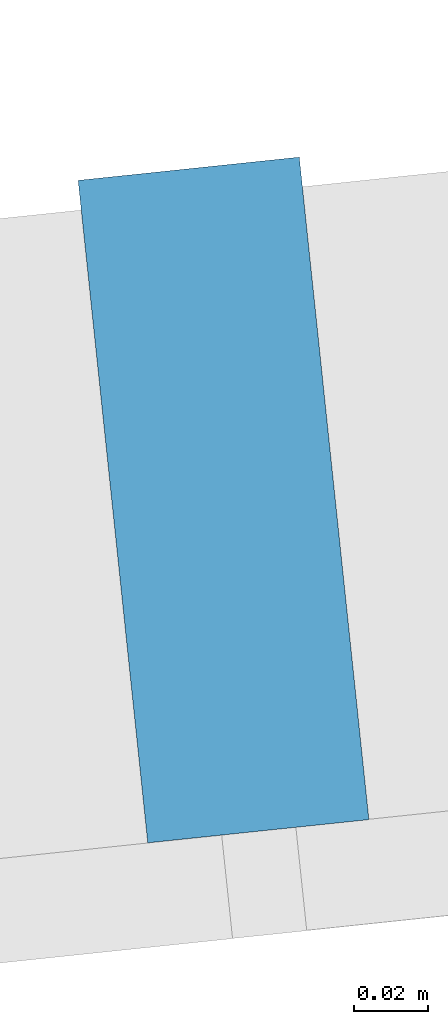
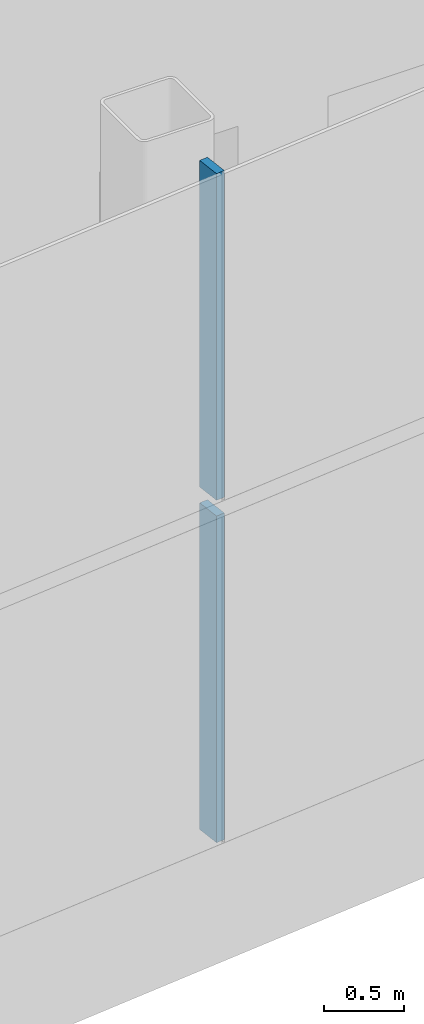
# One storey, part 7 of 35: 2 members, 1 element without a shape of its own.
"""IFC4 building model written with IfcOpenShell, lengths in metres."""

from ifc_helpers import new_model, si_unit, direction, frame, origin, origin_2d, place, context, subcontext, project, spatial, rectangle, extrude, material, layer, layer_set, material_profile, profile_set, type_object, element, aggregate, save


model = new_model("IFC4")

# Units and contexts
model_context = context("Model", 3, precision=1e-05, world=origin(), true_north=direction((0.0, 1.0)))
body_context = subcontext(model_context, "Body", "Model", "MODEL_VIEW")
ifc_project = project(units=[si_unit("LENGTHUNIT", "METRE"), si_unit("AREAUNIT", "SQUARE_METRE"), si_unit("VOLUMEUNIT", "CUBIC_METRE"), si_unit("PLANEANGLEUNIT", "RADIAN"), si_unit("MASSUNIT", "GRAM", prefix="KILO")], contexts=[model_context])

# Site, building, storey
site_placement = place(None, origin())
site = spatial("IfcSite", under=ifc_project, at=site_placement, CompositionType="ELEMENT")
building_placement = place(site_placement, origin())
building = spatial("IfcBuilding", under=site, at=building_placement, Name="Hakoniwa Tower and Hamabe Station Hall", CompositionType="ELEMENT")
storey_placement = place(building_placement, frame((0.0, 0.0, 264.60009765625)))
storey = spatial("IfcBuildingStorey", under=building, at=storey_placement, Name="L75", CompositionType="ELEMENT", Elevation=264.60009765625)

# Curtain wall, members
ifc_material_1 = material(Name="Dark low-e laminated glass", Category="glass")
ifc_layer = layer(ifc_material_1, 0.199951171875)
ifc_layer_set = layer_set([ifc_layer], Name="CW-1 UNITISED GUEST")
curtain_wall_type = type_object("IfcCurtainWallType", Name="CW-1 UNITISED GUEST", PredefinedType="NOTDEFINED", material=ifc_layer_set)
curtain_wall_placement = place(storey_placement, origin())
curtain_wall = element("IfcCurtainWall", 1, at=curtain_wall_placement, inside=storey, type_object=curtain_wall_type, Name="CW-1 curtain wall", PredefinedType="NOTDEFINED")
ifc_material_2 = material(Name="Aluminium 6063-T5 black anodised", Category="aluminium")
ifc_material_profile = material_profile(ifc_material_2, rectangle(XDim=0.06005859375, YDim=0.179931640625, at=origin_2d()), Name="CW-1 MULLION 60X180")
ifc_profile_set = profile_set([ifc_material_profile], Name="Aluminium 6063-T5 black anodised")
member_type = type_object("IfcMemberType", Name="CW-1 MULLION 60X180", PredefinedType="MULLION", material=ifc_profile_set)
member_1_placement = place(storey_placement, frame((18.50390625, -12.831787109375, 0.349853515625), z_axis=(0.0, 0.0, 1.0), x_axis=(0.994521895272, 0.104528464188, 0.0)))
member_1 = element("IfcMember", 2, at=member_1_placement, type_object=member_type, Name="CW-1 mullion", PredefinedType="MULLION", context=body_context, shape_type="SweptSolid", body=[
    extrude(rectangle(XDim=0.06005859375, YDim=0.179931640625, at=origin_2d()), origin(), (0.0, 0.0, 1.0), 2.489990234375),
])
member_2_placement = place(storey_placement, frame((18.50390625, -12.831787109375, 2.9599609375), z_axis=(0.0, 0.0, 1.0), x_axis=(0.994521895272, 0.104528464188, 0.0)))
member_2 = element("IfcMember", 3, at=member_2_placement, type_object=member_type, Name="CW-1 mullion", PredefinedType="MULLION", context=body_context, shape_type="SweptSolid", body=[
    extrude(rectangle(XDim=0.06005859375, YDim=0.179931640625, at=origin_2d()), origin(), (0.0, 0.0, 1.0), 2.489990234375),
])
aggregate(curtain_wall, [member_1, member_2])

save(model, "model.ifc")
